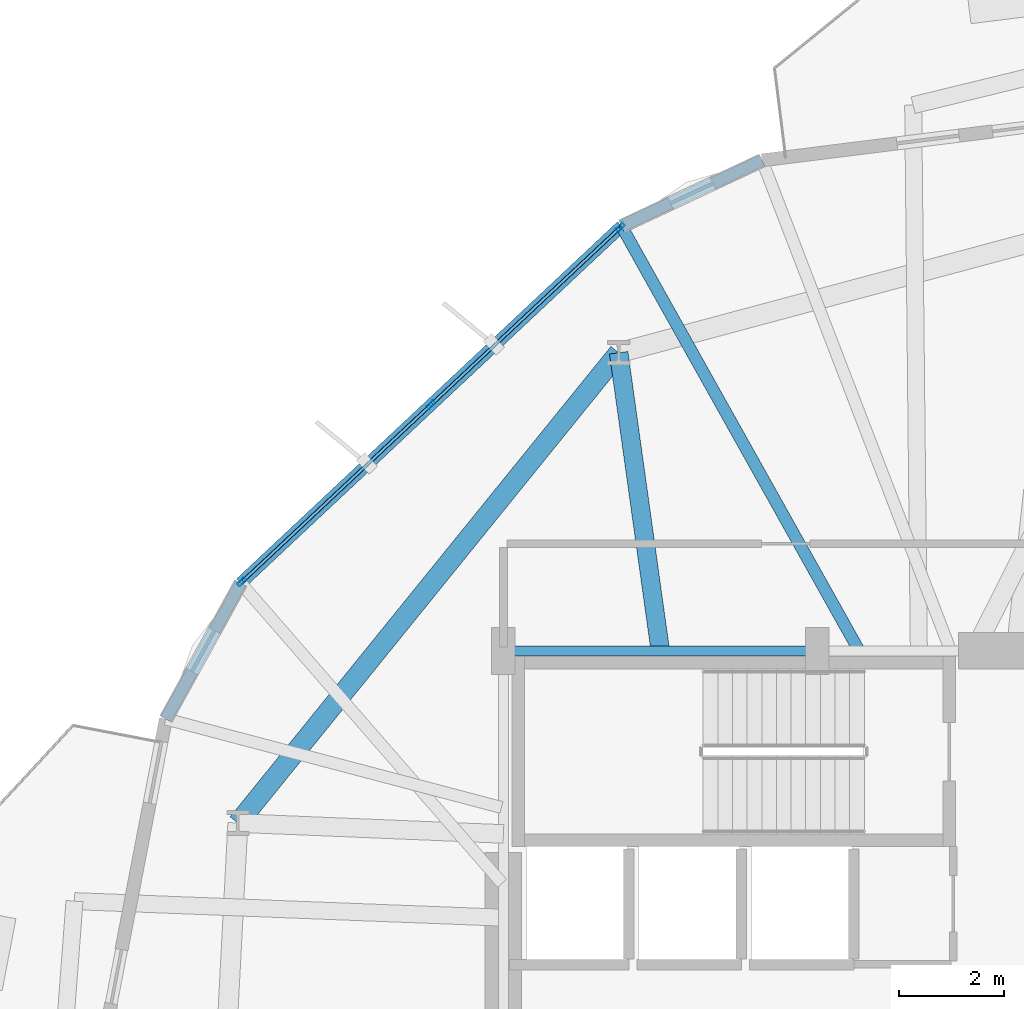
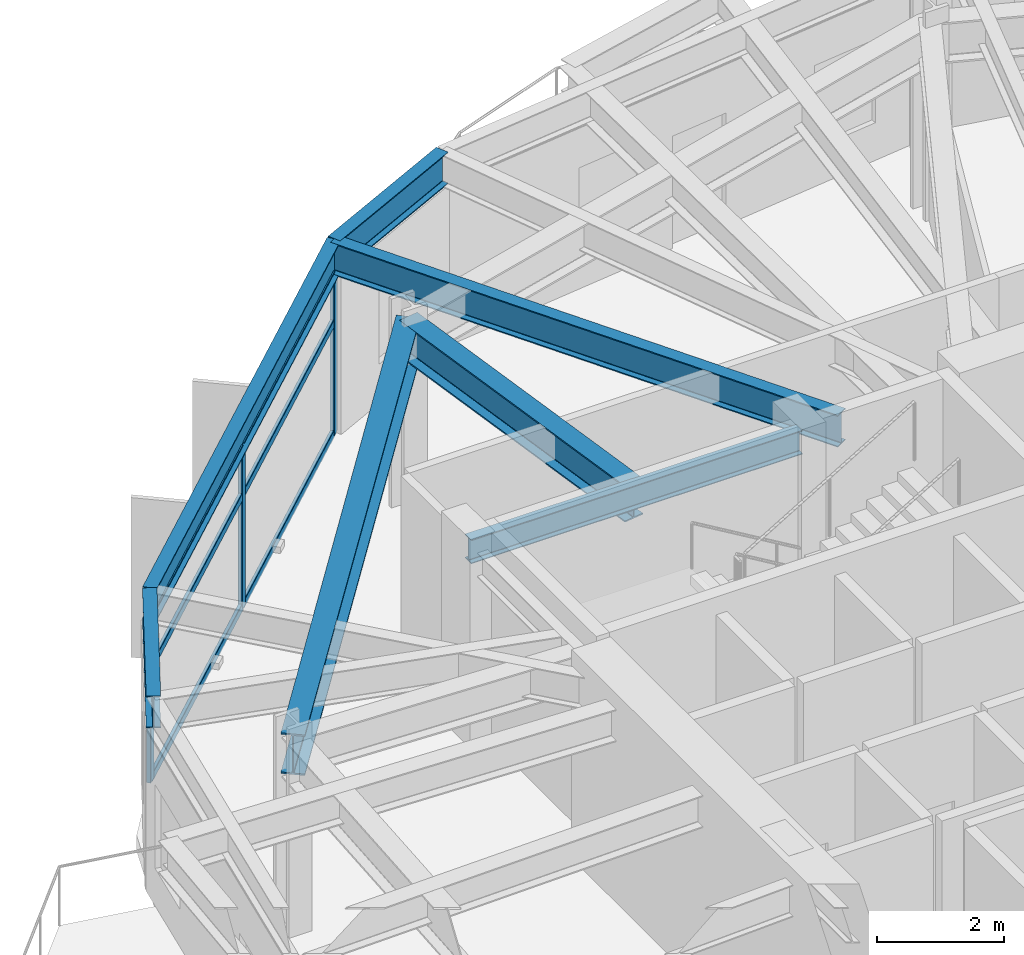
# One storey, part 11 of 22: 9 members, 7 beams, 1 element without a shape of its own.
"""IFC4 building model written with IfcOpenShell, lengths in metres."""

from ifc_helpers import new_model, si_unit, direction, frame, origin, origin_2d, place, context, subcontext, project, spatial, hollow_rectangle, i_section, extrude, material, layer, layer_set, material_profile, profile_set, type_object, element, aggregate, save


model = new_model("IFC4")

# Units and contexts
model_context = context("Model", 3, precision=1e-05, world=origin(), true_north=direction((0.0, 1.0)))
body_context = subcontext(model_context, "Body", "Model", "MODEL_VIEW")
ifc_project = project(units=[si_unit("LENGTHUNIT", "METRE"), si_unit("AREAUNIT", "SQUARE_METRE"), si_unit("VOLUMEUNIT", "CUBIC_METRE"), si_unit("PLANEANGLEUNIT", "RADIAN"), si_unit("MASSUNIT", "GRAM", prefix="KILO")], contexts=[model_context])

# Site, building, storey
site_placement = place(None, origin())
site = spatial("IfcSite", under=ifc_project, at=site_placement, CompositionType="ELEMENT")
building_placement = place(site_placement, origin())
building = spatial("IfcBuilding", under=site, at=building_placement, Name="Soratama Intermodal Tower", CompositionType="ELEMENT")
storey_placement = place(building_placement, frame((0.0, 0.0, 54.60009765625)))
storey = spatial("IfcBuildingStorey", under=building, at=storey_placement, Name="L12", CompositionType="ELEMENT", Elevation=54.60009765625)

# Beams
ifc_material_1 = material(Name="Structural steel ASTM A992 Grade 50", Category="steel")
ifc_material_profile_1 = material_profile(ifc_material_1, i_section(OverallWidth=0.19091796875, OverallDepth=0.4599609375, WebThickness=0.010009765625, FlangeThickness=0.01611328125, FilletRadius=0.010986328125, at=origin_2d()), Name="W18X55")
ifc_profile_set_1 = profile_set([ifc_material_profile_1], Name="Structural steel ASTM A992 Grade 50")
beam_type_1 = type_object("IfcBeamType", Name="BM-FLR-W18X55", PredefinedType="BEAM", material=ifc_profile_set_1)
beam_1_placement = place(storey_placement, frame((38.60009765625, 35.0, 3.469970703125), z_axis=(-1.0, 0.0, 0.0), x_axis=(0.0, -1.0, 0.0)))
element("IfcBeam", 1, at=beam_1_placement, inside=storey, type_object=beam_type_1, Name="BM-L12-CRING-07", PredefinedType="BEAM", context=body_context, shape_type="SweptSolid", body=[
    extrude(i_section(OverallWidth=0.19091796875, OverallDepth=0.4599609375, WebThickness=0.010009765625, FlangeThickness=0.01611328125, FilletRadius=0.010986328125, at=origin_2d()), origin(), (0.0, 0.0, 1.0), 6.0),
])
ifc_material_2 = material(Name="Structural steel ASTM A992 Grade 50", Category="steel")
ifc_material_profile_2 = material_profile(ifc_material_2, i_section(OverallWidth=0.35498046875, OverallDepth=0.695068359375, WebThickness=0.015380859375, FlangeThickness=0.02490234375, FilletRadius=0.01611328125, at=origin_2d()), Name="W27X146")
ifc_profile_set_2 = profile_set([ifc_material_profile_2], Name="Structural steel ASTM A992 Grade 50")
beam_type_2 = type_object("IfcBeamType", Name="BM-RING-W27X146", PredefinedType="BEAM", material=ifc_profile_set_2)
beam_2_placement = place(storey_placement, frame((35.60009765625, 35.0, 3.352294921875), z_axis=(-0.138332473065, 0.990385847484, 0.0), x_axis=(-0.990385847484, -0.138332473065, 0.0)))
element("IfcBeam", 2, at=beam_2_placement, inside=storey, type_object=beam_type_2, Name="BM-L12-RAD-04", PredefinedType="BEAM", context=body_context, shape_type="SweptSolid", body=[
    extrude(i_section(OverallWidth=0.35498046875, OverallDepth=0.695068359375, WebThickness=0.015380859375, FlangeThickness=0.02490234375, FilletRadius=0.01611328125, at=origin_2d()), origin(), (0.0, 0.0, 1.0), 5.75537109375),
])
ifc_material_3 = material(Name="Structural steel ASTM A992 Grade 50", Category="steel")
ifc_material_profile_3 = material_profile(ifc_material_3, i_section(OverallWidth=0.382080078125, OverallDepth=0.779052734375, WebThickness=0.01806640625, FlangeThickness=0.030029296875, FilletRadius=0.01806640625, at=origin_2d()), Name="W30X191")
ifc_profile_set_3 = profile_set([ifc_material_profile_3], Name="Structural steel ASTM A992 Grade 50")
beam_type_3 = type_object("IfcBeamType", Name="BM-RING-W30X191", PredefinedType="BEAM", material=ifc_profile_set_3)
beam_3_placement = place(storey_placement, frame((34.803955078125, 40.699951171875, 3.310302734375), z_axis=(-0.629334198857, -0.777134779912, 0.0), x_axis=(0.777134779912, -0.629334198857, 0.0)))
element("IfcBeam", 3, at=beam_3_placement, inside=storey, type_object=beam_type_3, Name="BM-L12-RING-04", PredefinedType="BEAM", context=body_context, shape_type="SweptSolid", body=[
    extrude(i_section(OverallWidth=0.382080078125, OverallDepth=0.779052734375, WebThickness=0.01806640625, FlangeThickness=0.030029296875, FilletRadius=0.01806640625, at=origin_2d()), origin(), (0.0, 0.0, 1.0), 11.5693359375),
])
ifc_material_4 = material(Name="Structural steel ASTM A992 Grade 50", Category="steel")
ifc_material_profile_4 = material_profile(ifc_material_4, i_section(OverallWidth=0.22900390625, OverallDepth=0.612060546875, WebThickness=0.011962890625, FlangeThickness=0.01953125, FilletRadius=0.012939453125, at=origin_2d()), Name="W24X84")
ifc_profile_set_4 = profile_set([ifc_material_profile_4], Name="Structural steel ASTM A992 Grade 50")
beam_type_4 = type_object("IfcBeamType", Name="BM-SPN-W24X84", PredefinedType="SPANDREL", material=ifc_profile_set_4)
beam_4_placement = place(storey_placement, frame((37.5439453125, 44.3798828125, 3.393798828125), z_axis=(-0.905369970209, -0.424623618095, 0.0), x_axis=(0.424623618095, -0.905369970209, 0.0)))
element("IfcBeam", 4, at=beam_4_placement, inside=storey, type_object=beam_type_4, Name="BS-L12-CRN03", PredefinedType="SPANDREL", context=body_context, shape_type="SweptSolid", body=[
    extrude(i_section(OverallWidth=0.22900390625, OverallDepth=0.612060546875, WebThickness=0.011962890625, FlangeThickness=0.01953125, FilletRadius=0.012939453125, at=origin_2d()), origin(), (0.0, 0.0, 1.0), 2.966796875),
])
beam_5_placement = place(storey_placement, frame((34.85791015625, 43.1201171875, 3.393798828125), z_axis=(-0.729623411205, -0.683849163062, 0.0), x_axis=(0.683849163062, -0.729623411205, 0.0)))
element("IfcBeam", 5, at=beam_5_placement, inside=storey, type_object=beam_type_4, Name="BS-L12-F04", PredefinedType="SPANDREL", context=body_context, shape_type="SweptSolid", body=[
    extrude(i_section(OverallWidth=0.22900390625, OverallDepth=0.612060546875, WebThickness=0.011962890625, FlangeThickness=0.01953125, FilletRadius=0.012939453125, at=origin_2d()), origin(), (0.0, 0.0, 1.0), 9.979248046875),
])
beam_6_placement = place(storey_placement, frame((27.576904296875, 36.2958984375, 3.393798828125), z_axis=(-0.482705249148, -0.87578287403, 0.0), x_axis=(0.87578287403, -0.482705249148, 0.0)))
element("IfcBeam", 6, at=beam_6_placement, inside=storey, type_object=beam_type_4, Name="BS-L12-CRN04", PredefinedType="SPANDREL", context=body_context, shape_type="SweptSolid", body=[
    extrude(i_section(OverallWidth=0.22900390625, OverallDepth=0.612060546875, WebThickness=0.011962890625, FlangeThickness=0.01953125, FilletRadius=0.012939453125, at=origin_2d()), origin(), (0.0, 0.0, 1.0), 2.96630859375),
])
ifc_material_5 = material(Name="Structural steel ASTM A992 Grade 50", Category="steel")
ifc_material_profile_5 = material_profile(ifc_material_5, i_section(OverallWidth=0.22900390625, OverallDepth=0.612060546875, WebThickness=0.011962890625, FlangeThickness=0.01953125, FilletRadius=0.012939453125, at=origin_2d()), Name="W24X84")
ifc_profile_set_5 = profile_set([ifc_material_profile_5], Name="Structural steel ASTM A992 Grade 50")
beam_type_5 = type_object("IfcBeamType", Name="BM-TIE-W24X84", PredefinedType="BEAM", material=ifc_profile_set_5)
beam_7_placement = place(storey_placement, frame((39.383056640625, 35.034912109375, 3.393798828125), z_axis=(-0.488392332101, 0.872624163053, 0.0), x_axis=(-0.872624163053, -0.488392332101, 0.0)))
element("IfcBeam", 7, at=beam_7_placement, inside=storey, type_object=beam_type_5, Name="BM-L12-TIE0-04", PredefinedType="BEAM", context=body_context, shape_type="SweptSolid", body=[
    extrude(i_section(OverallWidth=0.22900390625, OverallDepth=0.612060546875, WebThickness=0.011962890625, FlangeThickness=0.01953125, FilletRadius=0.012939453125, at=origin_2d()), origin(), (0.0, 0.0, 1.0), 9.265380859375),
])

# Curtain wall, members
ifc_material_6 = material(Name="Double-glazed aluminium curtain wall", Category="aluminium")
ifc_layer = layer(ifc_material_6, 0.159912109375)
ifc_layer_set = layer_set([ifc_layer], Name="Double-glazed aluminium curtain wall")
curtain_wall_type = type_object("IfcCurtainWallType", Name="CW-SYS-2", PredefinedType="NOTDEFINED", material=ifc_layer_set)
curtain_wall_placement = place(storey_placement, origin())
curtain_wall = element("IfcCurtainWall", 8, at=curtain_wall_placement, inside=storey, type_object=curtain_wall_type, Name="L12 Faceted Curtain Wall F04", PredefinedType="NOTDEFINED")
ifc_material_7 = material(Name="Anodised aluminium AA 6063-T6", Category="aluminium")
ifc_material_profile_6 = material_profile(ifc_material_7, hollow_rectangle(XDim=0.074951171875, YDim=0.179931640625, WallThickness=0.006103515625, InnerFilletRadius=0.006103515625, OuterFilletRadius=0.011962890625, at=origin_2d()), Name="CWM180X75X6")
ifc_profile_set_6 = profile_set([ifc_material_profile_6], Name="Anodised aluminium AA 6063-T6")
member_type_1 = type_object("IfcMemberType", Name="MT-CWM-2", PredefinedType="MULLION", material=ifc_profile_set_6)
member_1_placement = place(storey_placement, frame((34.83642578125, 43.098876953125, 0.0), z_axis=(0.0, 0.0, 1.0), x_axis=(0.683786445745, -0.729682188775, 0.0)))
member_1 = element("IfcMember", 9, at=member_1_placement, type_object=member_type_1, Name="CW-2 mullion 1", PredefinedType="MULLION", context=body_context, shape_type="SweptSolid", body=[
    extrude(hollow_rectangle(XDim=0.074951171875, YDim=0.179931640625, WallThickness=0.006103515625, InnerFilletRadius=0.006103515625, OuterFilletRadius=0.011962890625, at=origin_2d()), origin(), (0.0, 0.0, 1.0), 3.078857421875),
])
member_2_placement = place(storey_placement, frame((31.217529296875, 39.707763671875, 0.0), z_axis=(0.0, 0.0, 1.0), x_axis=(0.683786445745, -0.729682188775, 0.0)))
member_2 = element("IfcMember", 10, at=member_2_placement, type_object=member_type_1, Name="CW-2 mullion 2", PredefinedType="MULLION", context=body_context, shape_type="SweptSolid", body=[
    extrude(hollow_rectangle(XDim=0.074951171875, YDim=0.179931640625, WallThickness=0.006103515625, InnerFilletRadius=0.006103515625, OuterFilletRadius=0.011962890625, at=origin_2d()), origin(), (0.0, 0.0, 1.0), 3.078857421875),
])
member_3_placement = place(storey_placement, frame((27.5986328125, 36.31640625, 0.0), z_axis=(0.0, 0.0, 1.0), x_axis=(0.683786445745, -0.729682188775, 0.0)))
member_3 = element("IfcMember", 11, at=member_3_placement, type_object=member_type_1, Name="CW-2 mullion 3", PredefinedType="MULLION", context=body_context, shape_type="SweptSolid", body=[
    extrude(hollow_rectangle(XDim=0.074951171875, YDim=0.179931640625, WallThickness=0.006103515625, InnerFilletRadius=0.006103515625, OuterFilletRadius=0.011962890625, at=origin_2d()), origin(), (0.0, 0.0, 1.0), 3.078857421875),
])
ifc_material_8 = material(Name="Anodised aluminium AA 6063-T6", Category="aluminium")
ifc_material_profile_7 = material_profile(ifc_material_8, hollow_rectangle(XDim=0.06494140625, YDim=0.14990234375, WallThickness=0.0048828125, InnerFilletRadius=0.0048828125, OuterFilletRadius=0.010009765625, at=origin_2d()), Name="CWT150X65X5")
ifc_profile_set_7 = profile_set([ifc_material_profile_7], Name="Anodised aluminium AA 6063-T6")
member_type_2 = type_object("IfcMemberType", Name="TT-CWT-1", PredefinedType="USERDEFINED", material=ifc_profile_set_7)
member_4_placement = place(storey_placement, frame((34.814453125, 43.078369140625, 0.02978515625), z_axis=(-0.729681709376, -0.683786957321, 0.0), x_axis=(0.683786957321, -0.729681709376, 0.0)))
member_4 = element("IfcMember", 12, at=member_4_placement, type_object=member_type_2, Name="CW-2 transom 1.1", ObjectType="TRANSOM", PredefinedType="USERDEFINED", context=body_context, shape_type="SweptSolid", body=[
    extrude(hollow_rectangle(XDim=0.06494140625, YDim=0.14990234375, WallThickness=0.0048828125, InnerFilletRadius=0.0048828125, OuterFilletRadius=0.010009765625, at=origin_2d()), origin(), (0.0, 0.0, 1.0), 4.8994140625),
])
member_5_placement = place(storey_placement, frame((34.814453125, 43.078369140625, 2.14990234375), z_axis=(-0.729681709376, -0.683786957321, 0.0), x_axis=(0.683786957321, -0.729681709376, 0.0)))
member_5 = element("IfcMember", 13, at=member_5_placement, type_object=member_type_2, Name="CW-2 transom 1.2", ObjectType="TRANSOM", PredefinedType="USERDEFINED", context=body_context, shape_type="SweptSolid", body=[
    extrude(hollow_rectangle(XDim=0.06494140625, YDim=0.14990234375, WallThickness=0.0048828125, InnerFilletRadius=0.0048828125, OuterFilletRadius=0.010009765625, at=origin_2d()), origin(), (0.0, 0.0, 1.0), 4.8994140625),
])
member_6_placement = place(storey_placement, frame((34.814453125, 43.078369140625, 3.048828125), z_axis=(-0.729681709376, -0.683786957321, 0.0), x_axis=(0.683786957321, -0.729681709376, 0.0)))
member_6 = element("IfcMember", 14, at=member_6_placement, type_object=member_type_2, Name="CW-2 transom 1.3", ObjectType="TRANSOM", PredefinedType="USERDEFINED", context=body_context, shape_type="SweptSolid", body=[
    extrude(hollow_rectangle(XDim=0.06494140625, YDim=0.14990234375, WallThickness=0.0048828125, InnerFilletRadius=0.0048828125, OuterFilletRadius=0.010009765625, at=origin_2d()), origin(), (0.0, 0.0, 1.0), 4.8994140625),
])
member_7_placement = place(storey_placement, frame((31.195556640625, 39.687255859375, 0.02978515625), z_axis=(-0.729680145662, -0.683788625985, 0.0), x_axis=(0.683788625985, -0.729680145662, 0.0)))
member_7 = element("IfcMember", 15, at=member_7_placement, type_object=member_type_2, Name="CW-2 transom 2.1", ObjectType="TRANSOM", PredefinedType="USERDEFINED", context=body_context, shape_type="SweptSolid", body=[
    extrude(hollow_rectangle(XDim=0.06494140625, YDim=0.14990234375, WallThickness=0.0048828125, InnerFilletRadius=0.0048828125, OuterFilletRadius=0.010009765625, at=origin_2d()), origin(), (0.0, 0.0, 1.0), 4.899658203125),
])
member_8_placement = place(storey_placement, frame((31.195556640625, 39.687255859375, 2.14990234375), z_axis=(-0.729680145662, -0.683788625985, 0.0), x_axis=(0.683788625985, -0.729680145662, 0.0)))
member_8 = element("IfcMember", 16, at=member_8_placement, type_object=member_type_2, Name="CW-2 transom 2.2", ObjectType="TRANSOM", PredefinedType="USERDEFINED", context=body_context, shape_type="SweptSolid", body=[
    extrude(hollow_rectangle(XDim=0.06494140625, YDim=0.14990234375, WallThickness=0.0048828125, InnerFilletRadius=0.0048828125, OuterFilletRadius=0.010009765625, at=origin_2d()), origin(), (0.0, 0.0, 1.0), 4.899658203125),
])
member_9_placement = place(storey_placement, frame((31.195556640625, 39.687255859375, 3.048828125), z_axis=(-0.729680145662, -0.683788625985, 0.0), x_axis=(0.683788625985, -0.729680145662, 0.0)))
member_9 = element("IfcMember", 17, at=member_9_placement, type_object=member_type_2, Name="CW-2 transom 2.3", ObjectType="TRANSOM", PredefinedType="USERDEFINED", context=body_context, shape_type="SweptSolid", body=[
    extrude(hollow_rectangle(XDim=0.06494140625, YDim=0.14990234375, WallThickness=0.0048828125, InnerFilletRadius=0.0048828125, OuterFilletRadius=0.010009765625, at=origin_2d()), origin(), (0.0, 0.0, 1.0), 4.899658203125),
])
aggregate(curtain_wall, [member_1, member_2, member_3, member_4, member_5, member_6, member_7, member_8, member_9])

save(model, "model.ifc")
